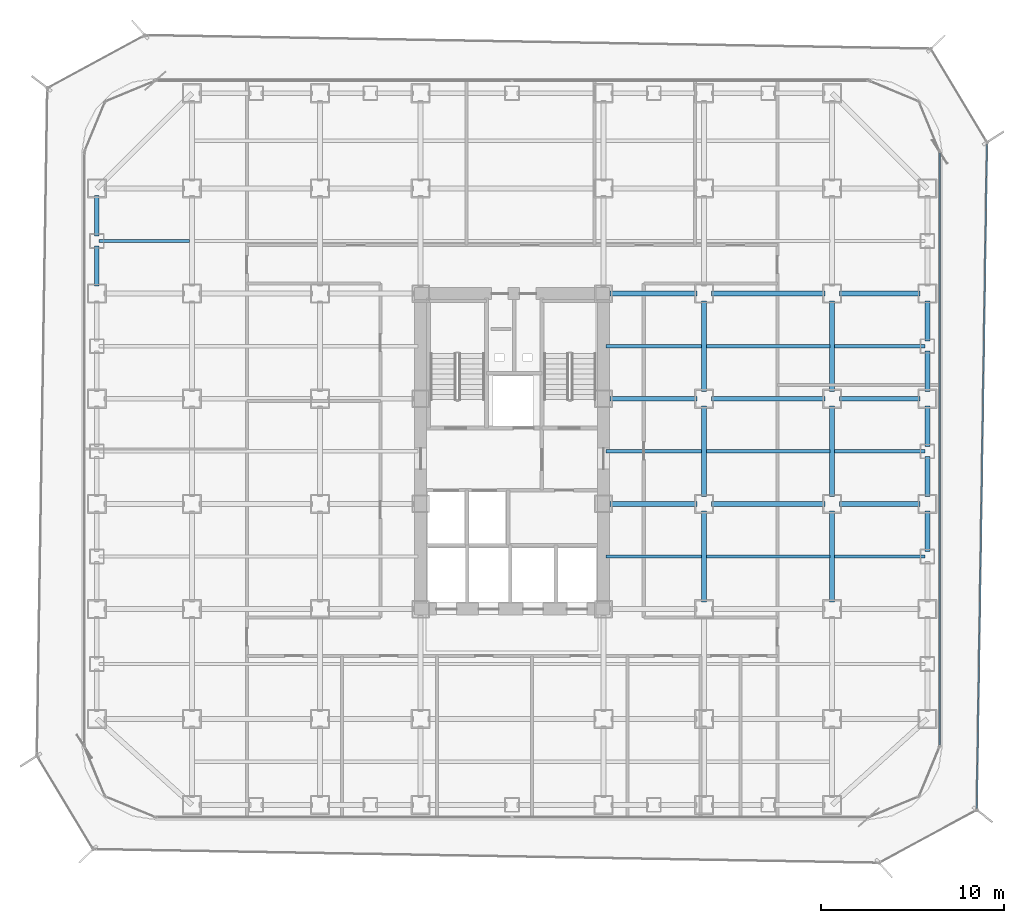
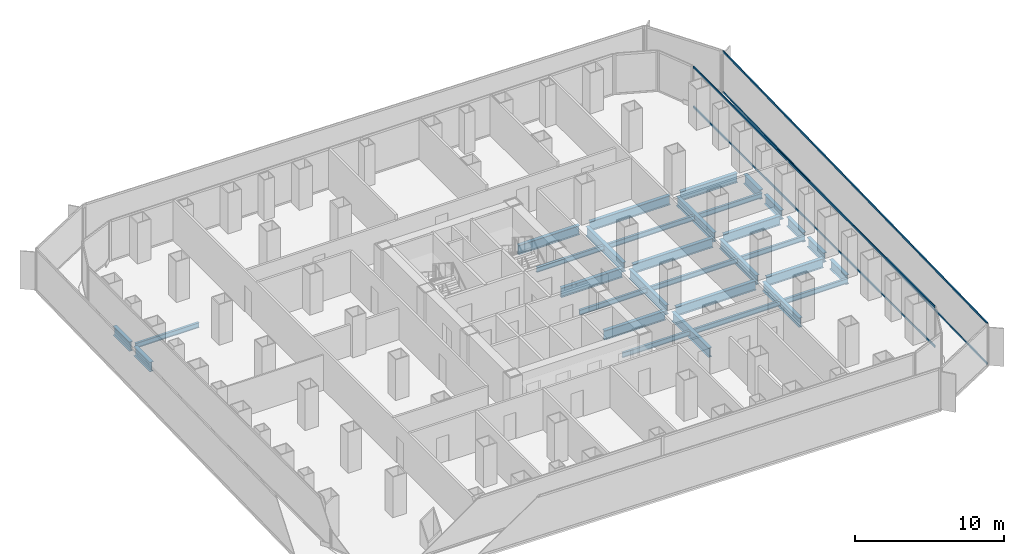
# One storey, part 9 of 22: 32 beams, 4 members, 2 elements without a shape of their own.
"""IFC4 building model written with IfcOpenShell, lengths in metres."""

from ifc_helpers import new_model, si_unit, direction, frame, origin, origin_2d, place, context, subcontext, project, spatial, hollow_rectangle, i_section, extrude, source, transform, mapped, material, layer, layer_set, material_profile, profile_set, type_object, element, aggregate, save


model = new_model("IFC4")

# Units and contexts
model_context = context("Model", 3, precision=1e-05, world=origin(), true_north=direction((0.0, 1.0)))
body_context = subcontext(model_context, "Body", "Model", "MODEL_VIEW")
ifc_project = project(units=[si_unit("LENGTHUNIT", "METRE"), si_unit("AREAUNIT", "SQUARE_METRE"), si_unit("VOLUMEUNIT", "CUBIC_METRE"), si_unit("PLANEANGLEUNIT", "RADIAN"), si_unit("MASSUNIT", "GRAM", prefix="KILO")], contexts=[model_context])

# Site, building, storey
site_placement = place(None, origin())
site = spatial("IfcSite", under=ifc_project, at=site_placement, CompositionType="ELEMENT")
building_placement = place(site_placement, origin())
building = spatial("IfcBuilding", under=site, at=building_placement, Name="Kolveth Station Tower", CompositionType="ELEMENT")
storey_placement = place(building_placement, frame((0.0, 0.0, 54.89990234375)))
storey = spatial("IfcBuildingStorey", under=building, at=storey_placement, Name="L14", CompositionType="ELEMENT", Elevation=54.89990234375)

# Beams
ifc_material_1 = material(Name="Steel S355", Category="steel")
ifc_material_profile_1 = material_profile(ifc_material_1, i_section(OverallWidth=0.26904296875, OverallDepth=0.77490234375, WebThickness=0.01708984375, FlangeThickness=0.0283203125, at=origin_2d()), Name="W760x220")
ifc_profile_set_1 = profile_set([ifc_material_profile_1], Name="Steel S355")
beam_type_1 = type_object("IfcBeamType", Name="Beam_SP1", PredefinedType="SPANDREL", material=ifc_profile_set_1)
shared_shape_1 = source(origin(), body_context, "Body", "SweptSolid", [
    extrude(i_section(OverallWidth=0.26904296875, OverallDepth=0.77490234375, WebThickness=0.01708984375, FlangeThickness=0.0283203125, at=origin_2d()), origin(), (0.0, 0.0, 1.0), 2.2001953125),
])
for number, where, z_axis, x_axis, name in (
    (1, (0.800048828125, 31.89990234375, -0.66748046875), (0.0, 1.0, 0.0), (-1.0, 0.0, 0.0), "L14 Perimeter Spandrel BM-L14-PW-10"),
    (2, (46.199951171875, 20.39990234375, -0.66748046875), (0.0, 1.0, 0.0), (-1.0, 0.0, 0.0), "L14 Perimeter Spandrel BM-L14-PE-6"),
    (3, (46.199951171875, 23.39990234375, -0.66748046875), (0.0, 1.0, 0.0), (-1.0, 0.0, 0.0), "L14 Perimeter Spandrel BM-L14-PE-7"),
):
    element("IfcBeam", number, at=place(storey_placement, frame(where, z_axis=z_axis, x_axis=x_axis)), inside=storey, type_object=beam_type_1, Name=name, PredefinedType="SPANDREL", context=body_context, shape_type="MappedRepresentation", body=[
        mapped(shared_shape_1, transform((0.0, 0.0, 0.0), x_axis=(1.0, 0.0, 0.0), y_axis=(0.0, 1.0, 0.0), z_axis=(0.0, 0.0, 1.0), scale=1.0)),
    ])
shared_shape_2 = source(origin(), body_context, "Body", "SweptSolid", [
    extrude(i_section(OverallWidth=0.26904296875, OverallDepth=0.77490234375, WebThickness=0.01708984375, FlangeThickness=0.0283203125, at=origin_2d()), origin(), (0.0, 0.0, 1.0), 2.190185546875),
])
for number, where, z_axis, x_axis, name in (
    (4, (0.800048828125, 29.14990234375, -0.66748046875), (0.0, 1.0, 0.0), (-1.0, 0.0, 0.0), "L14 Perimeter Spandrel BM-L14-PW-9"),
    (5, (46.199951171875, 14.659912109375, -0.66748046875), (0.0, 1.0, 0.0), (-1.0, 0.0, 0.0), "L14 Perimeter Spandrel BM-L14-PE-4"),
    (6, (46.199951171875, 17.64990234375, -0.66748046875), (0.0, 1.0, 0.0), (-1.0, 0.0, 0.0), "L14 Perimeter Spandrel BM-L14-PE-5"),
    (7, (46.199951171875, 26.159912109375, -0.66748046875), (0.0, 1.0, 0.0), (-1.0, 0.0, 0.0), "L14 Perimeter Spandrel BM-L14-PE-8"),
):
    element("IfcBeam", number, at=place(storey_placement, frame(where, z_axis=z_axis, x_axis=x_axis)), inside=storey, type_object=beam_type_1, Name=name, PredefinedType="SPANDREL", context=body_context, shape_type="MappedRepresentation", body=[
        mapped(shared_shape_2, transform((0.0, 0.0, 0.0), x_axis=(1.0, 0.0, 0.0), y_axis=(0.0, 1.0, 0.0), z_axis=(0.0, 0.0, 1.0), scale=1.0)),
    ])
ifc_material_profile_2 = material_profile(ifc_material_1, i_section(OverallWidth=0.26708984375, OverallDepth=0.76611328125, WebThickness=0.014892578125, FlangeThickness=0.023681640625, at=origin_2d()), Name="W760x185")
ifc_profile_set_2 = profile_set([ifc_material_profile_2], Name="Steel S355")
beam_type_2 = type_object("IfcBeamType", Name="Beam_B3", PredefinedType="BEAM", material=ifc_profile_set_2)
shared_shape_3 = source(origin(), body_context, "Body", "SweptSolid", [
    extrude(i_section(OverallWidth=0.26708984375, OverallDepth=0.76611328125, WebThickness=0.014892578125, FlangeThickness=0.023681640625, at=origin_2d()), origin(), (0.0, 0.0, 1.0), 4.400146484375),
])
for number, where, z_axis, x_axis, name in (
    (8, (41.39990234375, 17.25, -0.662841796875), (1.0, 0.0, 0.0), (0.0, 1.0, 0.0), "L14 Primary Girder BM-L14-GY172-7"),
    (9, (41.39990234375, 23.0, -0.662841796875), (1.0, 0.0, 0.0), (0.0, 1.0, 0.0), "L14 Primary Girder BM-L14-GY230-7"),
    (10, (41.39990234375, 28.75, -0.662841796875), (1.0, 0.0, 0.0), (0.0, 1.0, 0.0), "L14 Primary Girder BM-L14-GY287-7"),
):
    element("IfcBeam", number, at=place(storey_placement, frame(where, z_axis=z_axis, x_axis=x_axis)), inside=storey, type_object=beam_type_2, Name=name, PredefinedType="BEAM", context=body_context, shape_type="MappedRepresentation", body=[
        mapped(shared_shape_3, transform((0.0, 0.0, 0.0), x_axis=(1.0, 0.0, 0.0), y_axis=(0.0, 1.0, 0.0), z_axis=(0.0, 0.0, 1.0), scale=1.0)),
    ])
shared_shape_4 = source(origin(), body_context, "Body", "SweptSolid", [
    extrude(i_section(OverallWidth=0.26708984375, OverallDepth=0.76611328125, WebThickness=0.014892578125, FlangeThickness=0.023681640625, at=origin_2d()), origin(), (0.0, 0.0, 1.0), 6.2001953125),
])
for number, where, z_axis, x_axis, name in (
    (11, (34.39990234375, 17.25, -0.662841796875), (1.0, 0.0, 0.0), (0.0, 1.0, 0.0), "L14 Primary Girder BM-L14-GY172-6"),
    (12, (34.39990234375, 23.0, -0.662841796875), (1.0, 0.0, 0.0), (0.0, 1.0, 0.0), "L14 Primary Girder BM-L14-GY230-6"),
    (13, (34.39990234375, 28.75, -0.662841796875), (1.0, 0.0, 0.0), (0.0, 1.0, 0.0), "L14 Primary Girder BM-L14-GY287-6"),
):
    element("IfcBeam", number, at=place(storey_placement, frame(where, z_axis=z_axis, x_axis=x_axis)), inside=storey, type_object=beam_type_2, Name=name, PredefinedType="BEAM", context=body_context, shape_type="MappedRepresentation", body=[
        mapped(shared_shape_4, transform((0.0, 0.0, 0.0), x_axis=(1.0, 0.0, 0.0), y_axis=(0.0, 1.0, 0.0), z_axis=(0.0, 0.0, 1.0), scale=1.0)),
    ])
shared_shape_5 = source(origin(), body_context, "Body", "SweptSolid", [
    extrude(i_section(OverallWidth=0.26708984375, OverallDepth=0.76611328125, WebThickness=0.014892578125, FlangeThickness=0.023681640625, at=origin_2d()), origin(), (0.0, 0.0, 1.0), 4.739990234375),
])
for number, where, z_axis, x_axis, name in (
    (14, (28.860107421875, 17.25, -0.662841796875), (1.0, 0.0, 0.0), (0.0, 1.0, 0.0), "L14 Primary Girder BM-L14-GY172-5"),
    (15, (28.860107421875, 23.0, -0.662841796875), (1.0, 0.0, 0.0), (0.0, 1.0, 0.0), "L14 Primary Girder BM-L14-GY230-5"),
    (16, (28.860107421875, 28.75, -0.662841796875), (1.0, 0.0, 0.0), (0.0, 1.0, 0.0), "L14 Primary Girder BM-L14-GY287-5"),
):
    element("IfcBeam", number, at=place(storey_placement, frame(where, z_axis=z_axis, x_axis=x_axis)), inside=storey, type_object=beam_type_2, Name=name, PredefinedType="BEAM", context=body_context, shape_type="MappedRepresentation", body=[
        mapped(shared_shape_5, transform((0.0, 0.0, 0.0), x_axis=(1.0, 0.0, 0.0), y_axis=(0.0, 1.0, 0.0), z_axis=(0.0, 0.0, 1.0), scale=1.0)),
    ])
shared_shape_6 = source(origin(), body_context, "Body", "SweptSolid", [
    extrude(i_section(OverallWidth=0.26708984375, OverallDepth=0.76611328125, WebThickness=0.014892578125, FlangeThickness=0.023681640625, at=origin_2d()), origin(), (0.0, 0.0, 1.0), 4.9501953125),
])
for number, where, z_axis, x_axis, name in (
    (17, (34.0, 11.89990234375, -0.662841796875), (0.0, 1.0, 0.0), (-1.0, 0.0, 0.0), "L14 Primary Girder BM-L14-GX340-3"),
    (18, (34.0, 17.64990234375, -0.662841796875), (0.0, 1.0, 0.0), (-1.0, 0.0, 0.0), "L14 Primary Girder BM-L14-GX340-4"),
    (19, (34.0, 23.39990234375, -0.662841796875), (0.0, 1.0, 0.0), (-1.0, 0.0, 0.0), "L14 Primary Girder BM-L14-GX340-5"),
    (20, (41.0, 11.89990234375, -0.662841796875), (0.0, 1.0, 0.0), (-1.0, 0.0, 0.0), "L14 Primary Girder BM-L14-GX410-3"),
    (21, (41.0, 17.64990234375, -0.662841796875), (0.0, 1.0, 0.0), (-1.0, 0.0, 0.0), "L14 Primary Girder BM-L14-GX410-4"),
    (22, (41.0, 23.39990234375, -0.662841796875), (0.0, 1.0, 0.0), (-1.0, 0.0, 0.0), "L14 Primary Girder BM-L14-GX410-5"),
):
    element("IfcBeam", number, at=place(storey_placement, frame(where, z_axis=z_axis, x_axis=x_axis)), inside=storey, type_object=beam_type_2, Name=name, PredefinedType="BEAM", context=body_context, shape_type="MappedRepresentation", body=[
        mapped(shared_shape_6, transform((0.0, 0.0, 0.0), x_axis=(1.0, 0.0, 0.0), y_axis=(0.0, 1.0, 0.0), z_axis=(0.0, 0.0, 1.0), scale=1.0)),
    ])
ifc_material_profile_3 = material_profile(ifc_material_1, i_section(OverallWidth=0.177978515625, OverallDepth=0.406982421875, WebThickness=0.0078125, FlangeThickness=0.0126953125, at=origin_2d()), Name="W410x60")
ifc_profile_set_3 = profile_set([ifc_material_profile_3], Name="Steel S355")
beam_type_3 = type_object("IfcBeamType", Name="Beam_J1", PredefinedType="JOIST", material=ifc_profile_set_3)
shared_shape_7 = source(origin(), body_context, "Body", "SweptSolid", [
    extrude(i_section(OverallWidth=0.177978515625, OverallDepth=0.406982421875, WebThickness=0.0078125, FlangeThickness=0.0126953125, at=origin_2d()), origin(), (0.0, 0.0, 1.0), 4.935791015625),
])
for number, where, z_axis, x_axis, name in (
    (23, (0.9326171875, 31.625, -0.4833984375), (1.0, 0.0, 0.0), (0.0, 1.0, 0.0), "L14 Secondary Joist JST-L14-1-6"),
    (24, (41.131591796875, 14.375, -0.4833984375), (1.0, 0.0, 0.0), (0.0, 1.0, 0.0), "L14 Secondary Joist JST-L14-7-3"),
    (25, (41.131591796875, 20.125, -0.4833984375), (1.0, 0.0, 0.0), (0.0, 1.0, 0.0), "L14 Secondary Joist JST-L14-7-4"),
    (26, (41.131591796875, 25.875, -0.4833984375), (1.0, 0.0, 0.0), (0.0, 1.0, 0.0), "L14 Secondary Joist JST-L14-7-5"),
):
    element("IfcBeam", number, at=place(storey_placement, frame(where, z_axis=z_axis, x_axis=x_axis)), inside=storey, type_object=beam_type_3, Name=name, PredefinedType="JOIST", context=body_context, shape_type="MappedRepresentation", body=[
        mapped(shared_shape_7, transform((0.0, 0.0, 0.0), x_axis=(1.0, 0.0, 0.0), y_axis=(0.0, 1.0, 0.0), z_axis=(0.0, 0.0, 1.0), scale=1.0)),
    ])
shared_shape_8 = source(origin(), body_context, "Body", "SweptSolid", [
    extrude(i_section(OverallWidth=0.177978515625, OverallDepth=0.406982421875, WebThickness=0.0078125, FlangeThickness=0.0126953125, at=origin_2d()), origin(), (0.0, 0.0, 1.0), 6.73681640625),
])
for number, where, z_axis, x_axis, name in (
    (27, (34.131591796875, 14.375, -0.4833984375), (1.0, 0.0, 0.0), (0.0, 1.0, 0.0), "L14 Secondary Joist JST-L14-6-3"),
    (28, (34.131591796875, 20.125, -0.4833984375), (1.0, 0.0, 0.0), (0.0, 1.0, 0.0), "L14 Secondary Joist JST-L14-6-4"),
    (29, (34.131591796875, 25.875, -0.4833984375), (1.0, 0.0, 0.0), (0.0, 1.0, 0.0), "L14 Secondary Joist JST-L14-6-5"),
):
    element("IfcBeam", number, at=place(storey_placement, frame(where, z_axis=z_axis, x_axis=x_axis)), inside=storey, type_object=beam_type_3, Name=name, PredefinedType="JOIST", context=body_context, shape_type="MappedRepresentation", body=[
        mapped(shared_shape_8, transform((0.0, 0.0, 0.0), x_axis=(1.0, 0.0, 0.0), y_axis=(0.0, 1.0, 0.0), z_axis=(0.0, 0.0, 1.0), scale=1.0)),
    ])
shared_shape_9 = source(origin(), body_context, "Body", "SweptSolid", [
    extrude(i_section(OverallWidth=0.177978515625, OverallDepth=0.406982421875, WebThickness=0.0078125, FlangeThickness=0.0126953125, at=origin_2d()), origin(), (0.0, 0.0, 1.0), 5.23681640625),
])
for number, where, z_axis, x_axis, name in (
    (30, (28.631591796875, 14.375, -0.4833984375), (1.0, 0.0, 0.0), (0.0, 1.0, 0.0), "L14 Secondary Joist JST-L14-5-3"),
    (31, (28.631591796875, 20.125, -0.4833984375), (1.0, 0.0, 0.0), (0.0, 1.0, 0.0), "L14 Secondary Joist JST-L14-5-4"),
    (32, (28.631591796875, 25.875, -0.4833984375), (1.0, 0.0, 0.0), (0.0, 1.0, 0.0), "L14 Secondary Joist JST-L14-5-5"),
):
    element("IfcBeam", number, at=place(storey_placement, frame(where, z_axis=z_axis, x_axis=x_axis)), inside=storey, type_object=beam_type_3, Name=name, PredefinedType="JOIST", context=body_context, shape_type="MappedRepresentation", body=[
        mapped(shared_shape_9, transform((0.0, 0.0, 0.0), x_axis=(1.0, 0.0, 0.0), y_axis=(0.0, 1.0, 0.0), z_axis=(0.0, 0.0, 1.0), scale=1.0)),
    ])

# Curtain wall, members
ifc_material_2 = material(Name="Aluminium 6063-T6 and low-E dark glass", Category="aluminium")
ifc_layer_1 = layer(ifc_material_2, 0.179931640625)
ifc_layer_set_1 = layer_set([ifc_layer_1], Name="Aluminium 6063-T6 and low-E dark glass")
curtain_wall_type_1 = type_object("IfcCurtainWallType", Name="CurtainWall_CW-Z1", PredefinedType="NOTDEFINED", material=ifc_layer_set_1)
curtain_wall_1_placement = place(storey_placement, origin())
curtain_wall_1 = element("IfcCurtainWall", 33, at=curtain_wall_1_placement, inside=storey, type_object=curtain_wall_type_1, Name="L14 Inner Thermal Curtain Wall 3", PredefinedType="NOTDEFINED")
ifc_material_3 = material(Name="Black anodized aluminium 6063-T6", Category="aluminium")
ifc_material_profile_4 = material_profile(ifc_material_3, hollow_rectangle(XDim=0.074951171875, YDim=0.159912109375, WallThickness=0.0048828125, at=origin_2d()), Name="ALU-75x160x5")
ifc_profile_set_4 = profile_set([ifc_material_profile_4], Name="Black anodized aluminium 6063-T6")
member_type_1 = type_object("IfcMemberType", Name="Transom_TR1", PredefinedType="USERDEFINED", material=ifc_profile_set_4)
shared_shape_10 = source(origin(), body_context, "Body", "SweptSolid", [
    extrude(hollow_rectangle(XDim=0.074951171875, YDim=0.159912109375, WallThickness=0.0048828125, at=origin_2d()), origin(), (0.0, 0.0, 1.0), 32.35009765625),
])
member_1_placement = place(storey_placement, frame((46.8798828125, 4.074951171875, 0.03759765625), z_axis=(0.0, 1.0, 0.0), x_axis=(-1.0, 0.0, 0.0)))
member_1 = element("IfcMember", 34, at=member_1_placement, type_object=member_type_1, Name="CW-Z1 transom 1.1", ObjectType="TRANSOM", PredefinedType="USERDEFINED", context=body_context, shape_type="MappedRepresentation", body=[
    mapped(shared_shape_10, transform((0.0, 0.0, 0.0), x_axis=(1.0, 0.0, 0.0), y_axis=(0.0, 1.0, 0.0), z_axis=(0.0, 0.0, 1.0), scale=1.0)),
])
member_2_placement = place(storey_placement, frame((46.8798828125, 4.074951171875, 3.28271484375), z_axis=(0.0, 1.0, 0.0), x_axis=(-1.0, 0.0, 0.0)))
member_2 = element("IfcMember", 35, at=member_2_placement, type_object=member_type_1, Name="CW-Z1 transom 1.2", ObjectType="TRANSOM", PredefinedType="USERDEFINED", context=body_context, shape_type="MappedRepresentation", body=[
    mapped(shared_shape_10, transform((0.0, 0.0, 0.0), x_axis=(1.0, 0.0, 0.0), y_axis=(0.0, 1.0, 0.0), z_axis=(0.0, 0.0, 1.0), scale=1.0)),
])
aggregate(curtain_wall_1, [member_1, member_2])

ifc_material_4 = material(Name="Black anodized aluminium 6063-T6 and dark solar glass", Category="aluminium")
ifc_layer_2 = layer(ifc_material_4, 0.159912109375)
ifc_layer_set_2 = layer_set([ifc_layer_2], Name="Black anodized aluminium 6063-T6 and dark solar glass")
curtain_wall_type_2 = type_object("IfcCurtainWallType", Name="OUTER SKIN CW-OS", PredefinedType="NOTDEFINED", material=ifc_layer_set_2)
curtain_wall_2_placement = place(storey_placement, origin())
curtain_wall_2 = element("IfcCurtainWall", 36, at=curtain_wall_2_placement, inside=storey, type_object=curtain_wall_type_2, Name="L14 Outer Ventilated Skin Curtain Wall 2", PredefinedType="NOTDEFINED")
ifc_material_profile_5 = material_profile(ifc_material_3, hollow_rectangle(XDim=0.080078125, YDim=0.14990234375, WallThickness=0.0048828125, at=origin_2d()), Name="ALU-80x150x5")
ifc_profile_set_5 = profile_set([ifc_material_profile_5], Name="Black anodized aluminium 6063-T6")
member_type_2 = type_object("IfcMemberType", Name="Transom_TR-OS", PredefinedType="USERDEFINED", material=ifc_profile_set_5)
shared_shape_11 = source(origin(), body_context, "Body", "SweptSolid", [
    extrude(hollow_rectangle(XDim=0.080078125, YDim=0.14990234375, WallThickness=0.0048828125, at=origin_2d()), origin(), (0.0, 0.0, 1.0), 36.323486328125),
])
member_3_placement = place(storey_placement, frame((48.906494140625, 0.60986328125, 0.0400390625), z_axis=(0.015338031352, 0.999882365478, 0.0), x_axis=(-0.999882365478, 0.015338031352, 0.0)))
member_3 = element("IfcMember", 37, at=member_3_placement, type_object=member_type_2, Name="CW-OS transom 1.1", ObjectType="TRANSOM", PredefinedType="USERDEFINED", context=body_context, shape_type="MappedRepresentation", body=[
    mapped(shared_shape_11, transform((0.0, 0.0, 0.0), x_axis=(1.0, 0.0, 0.0), y_axis=(0.0, 1.0, 0.0), z_axis=(0.0, 0.0, 1.0), scale=1.0)),
])
member_4_placement = place(storey_placement, frame((48.906494140625, 0.60986328125, 3.35009765625), z_axis=(0.015338031352, 0.999882365478, 0.0), x_axis=(-0.999882365478, 0.015338031352, 0.0)))
member_4 = element("IfcMember", 38, at=member_4_placement, type_object=member_type_2, Name="CW-OS transom 1.2", ObjectType="TRANSOM", PredefinedType="USERDEFINED", context=body_context, shape_type="MappedRepresentation", body=[
    mapped(shared_shape_11, transform((0.0, 0.0, 0.0), x_axis=(1.0, 0.0, 0.0), y_axis=(0.0, 1.0, 0.0), z_axis=(0.0, 0.0, 1.0), scale=1.0)),
])
aggregate(curtain_wall_2, [member_3, member_4])

save(model, "model.ifc")
